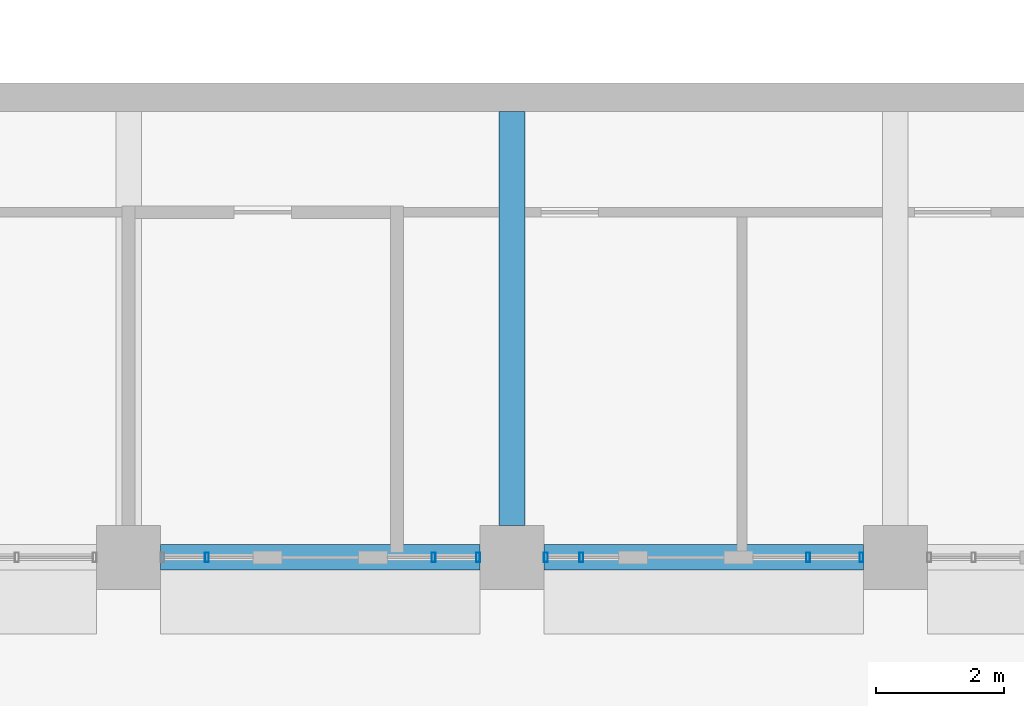
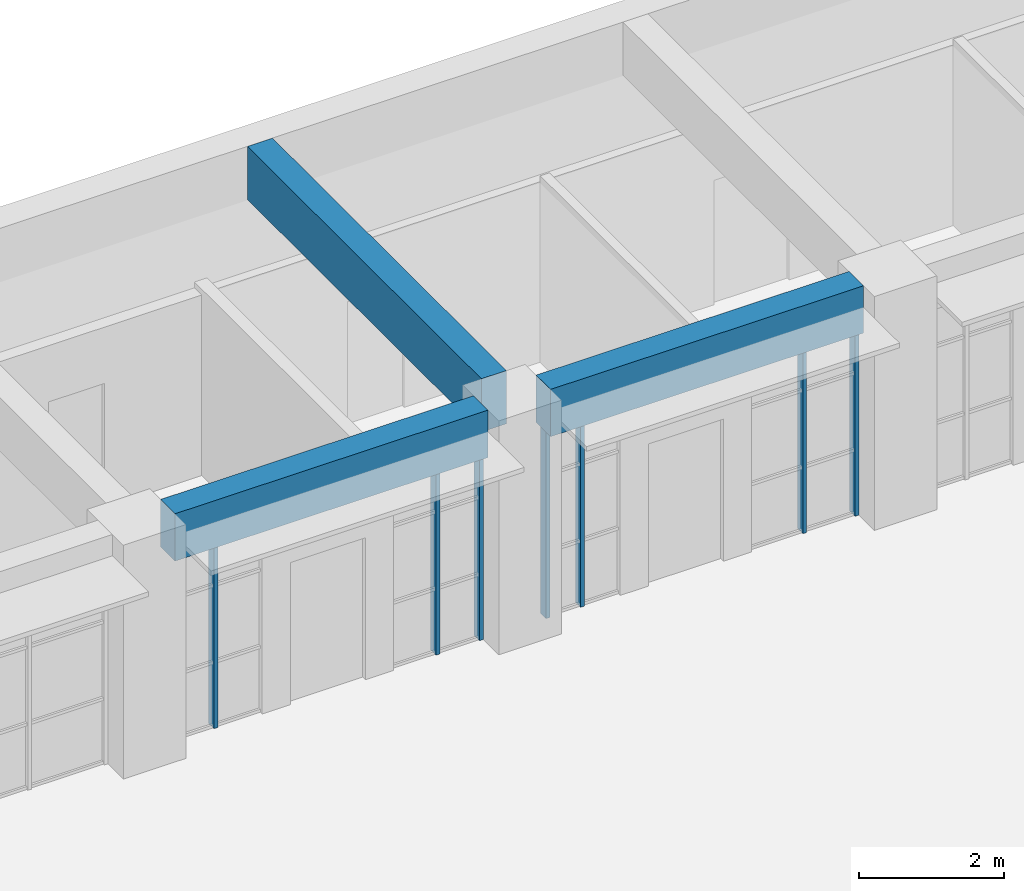
# One storey, part 30 of 103: 7 members, 3 beams, 4 elements without a shape of their own.
"""IFC4 building model written with IfcOpenShell, lengths in metres."""

from ifc_helpers import new_model, si_unit, direction, frame, origin, origin_2d, place, context, subcontext, project, spatial, rectangle, hollow_rectangle, extrude, material, material_profile, profile_set, type_object, element, aggregate, save


model = new_model("IFC4")

# Units and contexts
model_context = context("Model", 3, precision=1e-05, world=origin(), true_north=direction((0.0, 1.0)))
body_context = subcontext(model_context, "Body", "Model", "MODEL_VIEW")
ifc_project = project(units=[si_unit("LENGTHUNIT", "METRE"), si_unit("AREAUNIT", "SQUARE_METRE"), si_unit("VOLUMEUNIT", "CUBIC_METRE"), si_unit("PLANEANGLEUNIT", "RADIAN"), si_unit("MASSUNIT", "GRAM", prefix="KILO")], contexts=[model_context])

# Site, building, storey
site_placement = place(None, origin())
site = spatial("IfcSite", under=ifc_project, at=site_placement, CompositionType="ELEMENT")
building_placement = place(site_placement, origin())
building = spatial("IfcBuilding", under=site, at=building_placement, Name="Laocheng Heights Fire and Rescue Headquarters", CompositionType="ELEMENT")
storey_placement = place(building_placement, frame((0.0, 0.0, 4.199951171875)))
storey = spatial("IfcBuildingStorey", under=building, at=storey_placement, Name="L01", CompositionType="ELEMENT", Elevation=4.199951171875)

# Curtain wall, member
ifc_material_1 = material(Name="Dark anodised aluminium unitised curtain wall, low-e double glazing", Category="aluminium")
curtain_wall_type_1 = type_object("IfcCurtainWallType", Name="CW 1450 x 3150 HQ SOUTH RIBBON", PredefinedType="NOTDEFINED", material=ifc_material_1)
curtain_wall_1_placement = place(storey_placement, origin())
curtain_wall_1 = element("IfcCurtainWall", 1, at=curtain_wall_1_placement, inside=storey, type_object=curtain_wall_type_1, Name="X5-X HQ SOUTH L01", PredefinedType="NOTDEFINED")
ifc_material_2 = material(Name="Dark anodised aluminium 6063-T5 extrusion", Category="aluminium")
ifc_material_profile_1 = material_profile(ifc_material_2, hollow_rectangle(XDim=0.14990234375, YDim=0.06005859375, WallThickness=0.0029296875, at=origin_2d()), Name="AL MULLION 150x60x3 HQ SOUTH RIBBON")
ifc_profile_set_1 = profile_set([ifc_material_profile_1], Name="Dark anodised aluminium 6063-T5 extrusion")
member_type = type_object("IfcMemberType", Name="AL MULLION 150x60x3 HQ SOUTH RIBBON", PredefinedType="MULLION", material=ifc_profile_set_1)
member_1_placement = place(storey_placement, frame((61.22509765625, 50.39990234375, 0.0), z_axis=(0.0, 0.0, 1.0), x_axis=(0.0, 1.0, 0.0)))
member_1 = element("IfcMember", 2, at=member_1_placement, type_object=member_type, Name="X5-X mullion 2", PredefinedType="MULLION", context=body_context, shape_type="SweptSolid", body=[
    extrude(hollow_rectangle(XDim=0.14990234375, YDim=0.06005859375, WallThickness=0.0029296875, at=origin_2d()), origin(), (0.0, 0.0, 1.0), 3.150146484375),
])
aggregate(curtain_wall_1, [member_1])

# Curtain wall, members
curtain_wall_2_placement = place(storey_placement, origin())
curtain_wall_2 = element("IfcCurtainWall", 3, at=curtain_wall_2_placement, inside=storey, type_object=curtain_wall_type_1, Name="X5-X HQ SOUTH L01", PredefinedType="NOTDEFINED")
member_2_placement = place(storey_placement, frame((64.77490234375, 50.39990234375, 0.0), z_axis=(0.0, 0.0, 1.0), x_axis=(0.0, 1.0, 0.0)))
member_2 = element("IfcMember", 4, at=member_2_placement, type_object=member_type, Name="X5-X mullion 2", PredefinedType="MULLION", context=body_context, shape_type="SweptSolid", body=[
    extrude(hollow_rectangle(XDim=0.14990234375, YDim=0.06005859375, WallThickness=0.0029296875, at=origin_2d()), origin(), (0.0, 0.0, 1.0), 3.150146484375),
])
member_3_placement = place(storey_placement, frame((65.469970703125, 50.39990234375, 0.0), z_axis=(0.0, 0.0, 1.0), x_axis=(0.0, 1.0, 0.0)))
member_3 = element("IfcMember", 5, at=member_3_placement, type_object=member_type, Name="X5-X mullion 3", PredefinedType="MULLION", context=body_context, shape_type="SweptSolid", body=[
    extrude(hollow_rectangle(XDim=0.14990234375, YDim=0.06005859375, WallThickness=0.0029296875, at=origin_2d()), origin(), (0.0, 0.0, 1.0), 3.150146484375),
])
aggregate(curtain_wall_2, [member_2, member_3])

ifc_material_3 = material(Name="Dark anodised aluminium unitised curtain wall, low-e double glazing", Category="aluminium")
curtain_wall_type_2 = type_object("IfcCurtainWallType", Name="CW 1170 x 3150 HQ SOUTH RIBBON", PredefinedType="NOTDEFINED", material=ifc_material_3)
curtain_wall_3_placement = place(storey_placement, origin())
curtain_wall_3 = element("IfcCurtainWall", 6, at=curtain_wall_3_placement, inside=storey, type_object=curtain_wall_type_2, Name="X6-X HQ SOUTH L01", PredefinedType="NOTDEFINED")
member_4_placement = place(storey_placement, frame((66.530029296875, 50.39990234375, 0.0), z_axis=(0.0, 0.0, 1.0), x_axis=(0.0, 1.0, 0.0)))
member_4 = element("IfcMember", 7, at=member_4_placement, type_object=member_type, Name="X6-X mullion 1", PredefinedType="MULLION", context=body_context, shape_type="SweptSolid", body=[
    extrude(hollow_rectangle(XDim=0.14990234375, YDim=0.06005859375, WallThickness=0.0029296875, at=origin_2d()), origin(), (0.0, 0.0, 1.0), 3.150146484375),
])
member_5_placement = place(storey_placement, frame((67.0849609375, 50.39990234375, 0.0), z_axis=(0.0, 0.0, 1.0), x_axis=(0.0, 1.0, 0.0)))
member_5 = element("IfcMember", 8, at=member_5_placement, type_object=member_type, Name="X6-X mullion 2", PredefinedType="MULLION", context=body_context, shape_type="SweptSolid", body=[
    extrude(hollow_rectangle(XDim=0.14990234375, YDim=0.06005859375, WallThickness=0.0029296875, at=origin_2d()), origin(), (0.0, 0.0, 1.0), 3.150146484375),
])
aggregate(curtain_wall_3, [member_4, member_5])

ifc_material_4 = material(Name="Dark anodised aluminium unitised curtain wall, low-e double glazing", Category="aluminium")
curtain_wall_type_3 = type_object("IfcCurtainWallType", Name="CW 1730 x 3150 HQ SOUTH RIBBON", PredefinedType="NOTDEFINED", material=ifc_material_4)
curtain_wall_4_placement = place(storey_placement, origin())
curtain_wall_4 = element("IfcCurtainWall", 9, at=curtain_wall_4_placement, inside=storey, type_object=curtain_wall_type_3, Name="X7-X HQ SOUTH L01", PredefinedType="NOTDEFINED")
member_6_placement = place(storey_placement, frame((70.635009765625, 50.39990234375, 0.0), z_axis=(0.0, 0.0, 1.0), x_axis=(0.0, 1.0, 0.0)))
member_6 = element("IfcMember", 10, at=member_6_placement, type_object=member_type, Name="X7-X mullion 2", PredefinedType="MULLION", context=body_context, shape_type="SweptSolid", body=[
    extrude(hollow_rectangle(XDim=0.14990234375, YDim=0.06005859375, WallThickness=0.0029296875, at=origin_2d()), origin(), (0.0, 0.0, 1.0), 3.150146484375),
])
member_7_placement = place(storey_placement, frame((71.469970703125, 50.39990234375, 0.0), z_axis=(0.0, 0.0, 1.0), x_axis=(0.0, 1.0, 0.0)))
member_7 = element("IfcMember", 11, at=member_7_placement, type_object=member_type, Name="X7-X mullion 3", PredefinedType="MULLION", context=body_context, shape_type="SweptSolid", body=[
    extrude(hollow_rectangle(XDim=0.14990234375, YDim=0.06005859375, WallThickness=0.0029296875, at=origin_2d()), origin(), (0.0, 0.0, 1.0), 3.150146484375),
])
aggregate(curtain_wall_4, [member_6, member_7])

# Beams
ifc_material_5 = material(Name="Concrete C40", Category="concrete")
ifc_material_profile_2 = material_profile(ifc_material_5, rectangle(XDim=0.39990234375, YDim=0.800048828125, at=origin_2d()), Name="RC BEAM 400x800 HQ")
ifc_profile_set_2 = profile_set([ifc_material_profile_2], Name="Concrete C40")
beam_type_1 = type_object("IfcBeamType", Name="RC BEAM 400x800 HQ", PredefinedType="BEAM", material=ifc_profile_set_2)
for number, where, z_axis, x_axis, name in (
    (12, (60.5, 50.39990234375, 3.550048828125), (1.0, 0.0, 0.0), (0.0, 1.0, 0.0), "HQ beam L01"),
    (13, (66.5, 50.39990234375, 3.550048828125), (1.0, 0.0, 0.0), (0.0, 1.0, 0.0), "HQ beam L01"),
):
    element("IfcBeam", number, at=place(storey_placement, frame(where, z_axis=z_axis, x_axis=x_axis)), inside=storey, type_object=beam_type_1, Name=name, PredefinedType="BEAM", context=body_context, shape_type="SweptSolid", body=[
        extrude(rectangle(XDim=0.39990234375, YDim=0.800048828125, at=origin_2d()), origin(), (0.0, 0.0, 1.0), 5.0),
    ])
ifc_material_6 = material(Name="Concrete C40", Category="concrete")
ifc_material_profile_3 = material_profile(ifc_material_6, rectangle(XDim=0.39990234375, YDim=0.89990234375, at=origin_2d()), Name="RC BEAM 400x900 HQ")
ifc_profile_set_3 = profile_set([ifc_material_profile_3], Name="Concrete C40")
beam_type_2 = type_object("IfcBeamType", Name="RC BEAM 400x900 HQ", PredefinedType="BEAM", material=ifc_profile_set_3)
beam_placement = place(storey_placement, frame((66.0, 50.89990234375, 3.5), z_axis=(0.0, 1.0, 0.0), x_axis=(-1.0, 0.0, 0.0)))
element("IfcBeam", 14, at=beam_placement, inside=storey, type_object=beam_type_2, Name="HQ beam L01", PredefinedType="BEAM", context=body_context, shape_type="SweptSolid", body=[
    extrude(rectangle(XDim=0.39990234375, YDim=0.89990234375, at=origin_2d()), origin(), (0.0, 0.0, 1.0), 6.47509765625),
])

save(model, "model.ifc")
